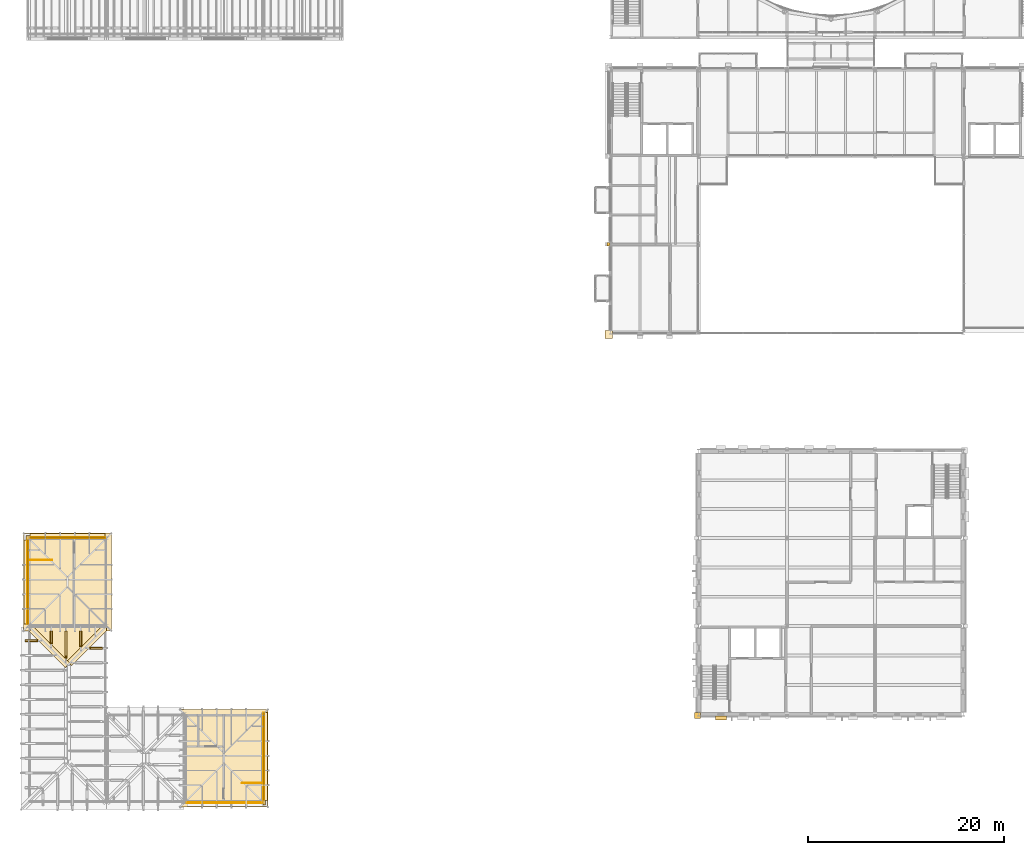
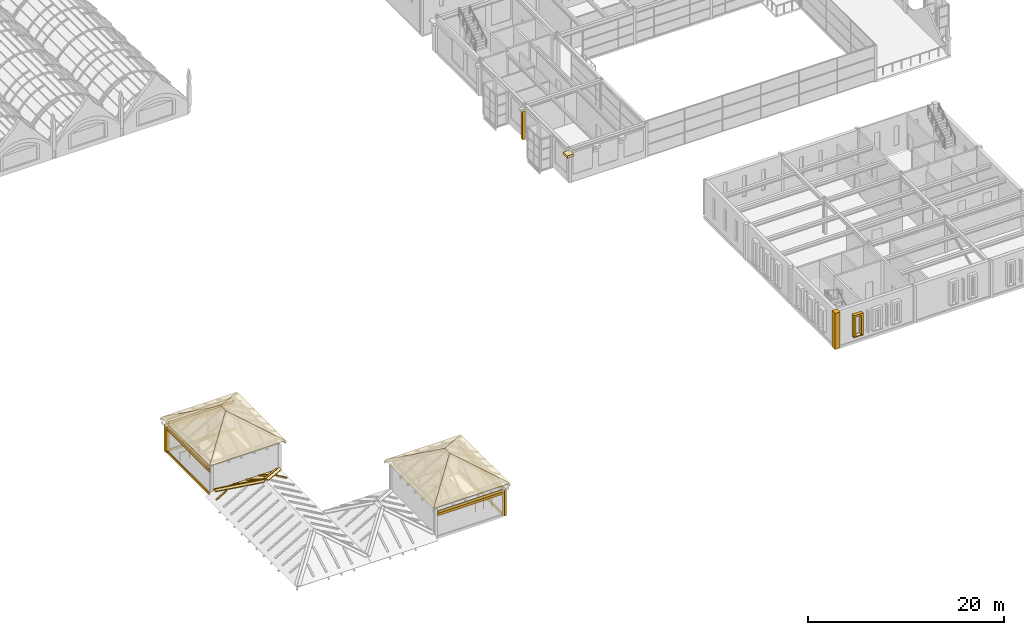
# One storey, part 89 of 111: 39 coverings, 2 railings.
"""IFC4 building model written with IfcOpenShell, lengths in metres."""

from ifc_helpers import new_model, si_unit, direction, frame, origin, origin_2d, place, context, subcontext, project, spatial, polyline, rectangle, circle, outline, extrude, material, layer, layer_set, type_object, element, save


model = new_model("IFC4")

# Units and contexts
model_context = context("Model", 3, precision=1e-05, world=origin(), true_north=direction((0.0, 1.0)))
body_context = subcontext(model_context, "Body", "Model", "MODEL_VIEW")
ifc_project = project(units=[si_unit("LENGTHUNIT", "METRE"), si_unit("AREAUNIT", "SQUARE_METRE"), si_unit("VOLUMEUNIT", "CUBIC_METRE"), si_unit("PLANEANGLEUNIT", "RADIAN"), si_unit("MASSUNIT", "GRAM", prefix="KILO")], contexts=[model_context])

# Site, building, storey
site_placement = place(None, origin())
site = spatial("IfcSite", under=ifc_project, at=site_placement, CompositionType="ELEMENT")
building_placement = place(site_placement, origin())
building = spatial("IfcBuilding", under=site, at=building_placement, Name="Kallimachos Central Library", CompositionType="ELEMENT")
storey_placement = place(building_placement, frame((0.0, 0.0, 14.39990234375)))
storey = spatial("IfcBuildingStorey", under=building, at=storey_placement, Name="L03", CompositionType="ELEMENT", Elevation=14.39990234375)

# Coverings
ifc_material_1 = material(Name="Glazed ceramic hip tile")
ifc_layer_1 = layer(ifc_material_1, 0.1201171875)
ifc_layer_set_1 = layer_set([ifc_layer_1], Name="Ceramic hip tile 300")
covering_type_1 = type_object("IfcCoveringType", Name="Ceramic hip tile 300", PredefinedType="MOLDING", material=ifc_layer_set_1)
covering_1_placement = place(storey_placement, frame((10.226318359375, 23.226318359375, 2.848388671875), z_axis=(-0.000182319872, 0.499873807418, 0.866098229658), x_axis=(-0.654787401166, -0.654668075714, 0.377707783764)))
element("IfcCovering", 1, at=covering_1_placement, inside=storey, type_object=covering_type_1, Name="R2 hip tile", PredefinedType="MOLDING", context=body_context, shape_type="SweptSolid", body=[
    extrude(outline(polyline([(0.0, 0.0), (0.32401084205908537, 1.3877787807814457e-17), (-0.5228782304783292, -5.874831397931513), (-0.8005554071933875, -5.554312028741464), (0.0, 0.0)])), origin(), (0.0, 0.0, -1.0), 0.1201171875),
])
covering_2_placement = place(storey_placement, frame((9.98583984375, 22.98583984375, 2.970703125), z_axis=(-0.499734386356, 0.000361185922, 0.866178626288), x_axis=(-0.654787407019, -0.654787338968, -0.377500983225)))
element("IfcCovering", 2, at=covering_2_placement, inside=storey, type_object=covering_type_1, Name="R2 hip tile", PredefinedType="MOLDING", context=body_context, shape_type="SweptSolid", body=[
    extrude(outline(polyline([(0.0, 0.0), (0.32401085128390905, 1.3877787807814457e-17), (1.1276076079422865, -5.575681846011131), (0.803756616848555, -5.575497321333659), (0.0, 0.0)])), origin(), (0.0, 0.0, -1.0), 0.1201171875),
])
covering_3_placement = place(storey_placement, frame((9.98583984375, 23.01416015625, 2.970703125), z_axis=(0.000182319872, 0.499873807418, 0.866098229658), x_axis=(-0.654787401166, 0.654668075714, -0.377707783764)))
element("IfcCovering", 3, at=covering_3_placement, inside=storey, type_object=covering_type_1, Name="R2 hip tile", PredefinedType="MOLDING", context=body_context, shape_type="SweptSolid", body=[
    extrude(outline(polyline([(0.0, 0.0), (0.32401084205908537, -1.3877787807814457e-17), (1.1245662492524726, -5.554312028741463), (0.8468890725374147, -5.874831397931513), (0.0, 0.0)])), origin(), (0.0, 0.0, -1.0), 0.1201171875),
])
covering_4_placement = place(storey_placement, frame((13.9140625, 26.885986328125, 0.71923828125), z_axis=(0.500003642596, -1.6346783e-05, 0.866023300566), x_axis=(0.654568264654, -0.654758275745, -0.377931193806)))
element("IfcCovering", 4, at=covering_4_placement, inside=storey, type_object=covering_type_1, Name="R2 hip tile", PredefinedType="MOLDING", context=body_context, shape_type="SweptSolid", body=[
    extrude(outline(polyline([(0.0, 0.0), (0.13125072621166356, 6.938893903907228e-18), (0.2965388260945633, -0.19080489409223556), (-0.47970870177611324, -5.575583414233689), (-0.8038117835381041, -5.57565085054515), (0.0, 0.0)])), origin(), (0.0, 0.0, -1.0), 0.1201171875),
])
ifc_material_2 = material(Name="Glazed ceramic roll tile")
ifc_layer_2 = layer(ifc_material_2, 0.10009765625)
ifc_layer_set_2 = layer_set([ifc_layer_2], Name="Ceramic roll tile rib 180")
covering_type_2 = type_object("IfcCoveringType", Name="Ceramic roll tile rib 180", PredefinedType="ROOFING", material=ifc_layer_set_2)
covering_5_placement = place(storey_placement, frame((8.260009765625, 25.243896484375, 1.660400390625), z_axis=(0.0, 0.499984039138, 0.866034618596), x_axis=(0.0, 0.866034618596, -0.499984039138)))
element("IfcCovering", 5, at=covering_5_placement, inside=storey, type_object=covering_type_2, Name="R2 roll tile rib", PredefinedType="ROOFING", context=body_context, shape_type="SweptSolid", body=[
    extrude(outline(polyline([(0.0, 0.0), (1.4272916553597355, 0.0), (1.4272916553597355, -0.17993164062500003), (0.0, -0.17993164062500003), (0.0, 0.0)])), origin(), (0.0, 0.0, -1.0), 0.10009765625),
])
covering_6_placement = place(storey_placement, frame((9.760009765625, 23.743896484375, 2.5263671875), z_axis=(0.0, 0.499978876315, 0.866037599206), x_axis=(0.0, 0.866037599206, -0.499978876315)))
element("IfcCovering", 6, at=covering_6_placement, inside=storey, type_object=covering_type_2, Name="R2 roll tile rib", PredefinedType="ROOFING", context=body_context, shape_type="SweptSolid", body=[
    extrude(outline(polyline([(0.0, 0.0), (3.159313160171293, 0.0), (3.159313160171293, -0.179931640625), (0.0, -0.179931640625), (0.0, 0.0)])), origin(), (0.0, 0.0, -1.0), 0.10009765625),
])
covering_7_placement = place(storey_placement, frame((11.260009765625, 24.944091796875, 1.83349609375), z_axis=(0.0, 0.499988586725, 0.866031993141), x_axis=(0.0, 0.866031993141, -0.499988586725)))
element("IfcCovering", 7, at=covering_7_placement, inside=storey, type_object=covering_type_2, Name="R2 roll tile rib", PredefinedType="ROOFING", context=body_context, shape_type="SweptSolid", body=[
    extrude(outline(polyline([(0.0, 0.0), (1.7734779823825033, 0.0), (1.7734779823825033, -0.179931640625), (0.0, -0.179931640625), (0.0, 0.0)])), origin(), (0.0, 0.0, -1.0), 0.10009765625),
])
for number, where, z_axis, x_axis, name in (
    (8, (5.669921875, 25.409912109375, 0.4560546875), (-0.499984039138, 0.0, 0.866034618596), (0.866034618596, 0.0, 0.499984039138), "R2 roll tile rib"),
    (9, (12.343994140625, 24.659912109375, 1.6025390625), (0.499984039138, 0.0, 0.866034618596), (0.866034618596, 0.0, -0.499984039138), "R2 roll tile rib"),
):
    element("IfcCovering", number, at=place(storey_placement, frame(where, z_axis=z_axis, x_axis=x_axis)), inside=storey, type_object=covering_type_2, Name=name, PredefinedType="ROOFING", context=body_context, shape_type="SweptSolid", body=[
        extrude(outline(polyline([(0.0, 0.0), (1.4272916553597355, 0.0), (1.4272916553597355, 0.18017578125), (0.0, 0.18017578125), (0.0, 0.0)])), origin(), (0.0, 0.0, -1.0), 0.10009765625),
    ])
ifc_material_3 = material(Name="Glazed ceramic frieze, green")
ifc_layer_3 = layer(ifc_material_3, 0.10009765625)
ifc_layer_set_3 = layer_set([ifc_layer_3], Name="Glazed ceramic frieze, green")
covering_type_3 = type_object("IfcCoveringType", Name="Glazed ceramic frieze, green", PredefinedType="CLADDING", material=ifc_layer_set_3)
covering_8_placement = place(storey_placement, frame((26.094970703125, 8.949951171875, 2.97998046875), z_axis=(0.0, 0.0, 1.0), x_axis=(1.0, 0.0, 0.0)))
element("IfcCovering", 10, at=covering_8_placement, inside=storey, type_object=covering_type_3, Name="Glazed ceramic frieze, green -L03-021", PredefinedType="CLADDING", context=body_context, shape_type="SweptSolid", body=[
    extrude(rectangle(XDim=7.7900390625, YDim=0.10009765625, at=origin_2d()), origin(), (0.0, 0.0, 1.0), 0.300048828125),
])
covering_9_placement = place(storey_placement, frame((30.050048828125, 13.675048828125, 2.97998046875), z_axis=(0.0, 0.0, 1.0), x_axis=(1.0, 0.0, 0.0)))
element("IfcCovering", 11, at=covering_9_placement, inside=storey, type_object=covering_type_3, Name="Glazed ceramic frieze, green -L03-022", PredefinedType="CLADDING", context=body_context, shape_type="SweptSolid", body=[
    extrude(rectangle(XDim=0.10009765625, YDim=8.949951171875, at=origin_2d()), origin(), (0.0, 0.0, 1.0), 0.300048828125),
])
covering_10_placement = place(storey_placement, frame((5.949951171875, 31.5, 2.97998046875), z_axis=(0.0, 0.0, 1.0), x_axis=(1.0, 0.0, 0.0)))
element("IfcCovering", 12, at=covering_10_placement, inside=storey, type_object=covering_type_3, Name="Glazed ceramic frieze, green -L03-029", PredefinedType="CLADDING", context=body_context, shape_type="SweptSolid", body=[
    extrude(rectangle(XDim=0.10009765625, YDim=8.60009765625, at=origin_2d()), origin(), (0.0, 0.0, 1.0), 0.300048828125),
])
covering_11_placement = place(storey_placement, frame((10.0, 36.050048828125, 2.97998046875), z_axis=(0.0, 0.0, 1.0), x_axis=(1.0, 0.0, 0.0)))
element("IfcCovering", 13, at=covering_11_placement, inside=storey, type_object=covering_type_3, Name="Glazed ceramic frieze, green -L03-030", PredefinedType="CLADDING", context=body_context, shape_type="SweptSolid", body=[
    extrude(rectangle(XDim=7.699951171875, YDim=0.10009765625, at=origin_2d()), origin(), (0.0, 0.0, 1.0), 0.300048828125),
])
ifc_material_4 = material(Name="Glazed ceramic frieze, ochre")
ifc_layer_4 = layer(ifc_material_4, 0.10009765625)
ifc_layer_set_4 = layer_set([ifc_layer_4], Name="Glazed ceramic frieze, ochre")
covering_type_4 = type_object("IfcCoveringType", Name="Glazed ceramic frieze, ochre", PredefinedType="CLADDING", material=ifc_layer_set_4)
covering_12_placement = place(storey_placement, frame((26.094970703125, 8.949951171875, 2.68017578125), z_axis=(0.0, 0.0, 1.0), x_axis=(1.0, 0.0, 0.0)))
element("IfcCovering", 14, at=covering_12_placement, inside=storey, type_object=covering_type_4, Name="Glazed ceramic frieze, ochre -L03-021", PredefinedType="CLADDING", context=body_context, shape_type="SweptSolid", body=[
    extrude(rectangle(XDim=7.7900390625, YDim=0.10009765625, at=origin_2d()), origin(), (0.0, 0.0, 1.0), 0.300048828125),
])
covering_13_placement = place(storey_placement, frame((30.050048828125, 13.675048828125, 2.68017578125), z_axis=(0.0, 0.0, 1.0), x_axis=(1.0, 0.0, 0.0)))
element("IfcCovering", 15, at=covering_13_placement, inside=storey, type_object=covering_type_4, Name="Glazed ceramic frieze, ochre -L03-022", PredefinedType="CLADDING", context=body_context, shape_type="SweptSolid", body=[
    extrude(rectangle(XDim=0.10009765625, YDim=8.949951171875, at=origin_2d()), origin(), (0.0, 0.0, 1.0), 0.300048828125),
])
covering_14_placement = place(storey_placement, frame((5.949951171875, 31.5, 2.68017578125), z_axis=(0.0, 0.0, 1.0), x_axis=(1.0, 0.0, 0.0)))
element("IfcCovering", 16, at=covering_14_placement, inside=storey, type_object=covering_type_4, Name="Glazed ceramic frieze, ochre -L03-029", PredefinedType="CLADDING", context=body_context, shape_type="SweptSolid", body=[
    extrude(rectangle(XDim=0.10009765625, YDim=8.60009765625, at=origin_2d()), origin(), (0.0, 0.0, 1.0), 0.300048828125),
])
covering_15_placement = place(storey_placement, frame((10.0, 36.050048828125, 2.68017578125), z_axis=(0.0, 0.0, 1.0), x_axis=(1.0, 0.0, 0.0)))
element("IfcCovering", 17, at=covering_15_placement, inside=storey, type_object=covering_type_4, Name="Glazed ceramic frieze, ochre -L03-030", PredefinedType="CLADDING", context=body_context, shape_type="SweptSolid", body=[
    extrude(rectangle(XDim=7.699951171875, YDim=0.10009765625, at=origin_2d()), origin(), (0.0, 0.0, 1.0), 0.300048828125),
])
ifc_material_5 = material(Name="Glazed ceramic tile on deck")
ifc_layer_5 = layer(ifc_material_5, 0.10009765625)
ifc_layer_set_5 = layer_set([ifc_layer_5], Name="Glazed ceramic tile roofing 100")
covering_type_5 = type_object("IfcCoveringType", Name="Glazed ceramic tile roofing 100", PredefinedType="ROOFING", material=ifc_layer_set_5)
covering_16_placement = place(storey_placement, frame((13.89990234375, 26.89990234375, 0.5888671875), z_axis=(0.0, 0.499975879303, 0.866039329428), x_axis=(-1.0, 0.0, 0.0)))
element("IfcCovering", 18, at=covering_16_placement, inside=storey, type_object=covering_type_5, Name="R2 roofing N", PredefinedType="ROOFING", context=body_context, shape_type="SweptSolid", body=[
    extrude(outline(polyline([(0.0, 0.0), (7.7998046875, 0.0), (3.89990234375, 4.503146925587589), (0.0, 0.0)])), origin(), (0.0, 0.0, -1.0), 0.10009765625),
])
for number, where, z_axis, x_axis, name in (
    (19, (21.5, 8.5, 4.09228515625), (0.0, -0.50000986103, 0.866019710441), (1.0, 0.0, 0.0), "R3 roofing S"),
    (20, (30.5, 18.5, 4.09228515625), (0.0, 0.50000986103, 0.866019710441), (-1.0, 0.0, 0.0), "R3 roofing N"),
):
    element("IfcCovering", number, at=place(storey_placement, frame(where, z_axis=z_axis, x_axis=x_axis)), inside=storey, type_object=covering_type_5, Name=name, PredefinedType="ROOFING", context=body_context, shape_type="SweptSolid", body=[
        extrude(outline(polyline([(0.0, 0.0), (9.0, 0.0), (4.5, 5.196186582991827), (0.0, 0.0)])), origin(), (0.0, 0.0, -1.0), 0.10009765625),
    ])
covering_17_placement = place(storey_placement, frame((21.5, 8.5, 4.09228515625), z_axis=(-0.50000986103, 0.0, 0.866019710441), x_axis=(0.654651211404, 0.654651211404, 0.377972992175)))
element("IfcCovering", 21, at=covering_17_placement, inside=storey, type_object=covering_type_5, Name="R3 roofing W", PredefinedType="ROOFING", context=body_context, shape_type="SweptSolid", body=[
    extrude(outline(polyline([(0.0, 0.0), (6.873889365218521, 0.0), (7.528540576622903, 0.7559310758308424), (6.546512114043815, 7.559310758308429), (0.0, 0.0)])), origin(), (0.0, 0.0, -1.0), 0.10009765625),
])
covering_18_placement = place(storey_placement, frame((30.5, 8.5, 4.09228515625), z_axis=(0.50000986103, 0.0, 0.866019710441), x_axis=(0.0, 1.0, 0.0)))
element("IfcCovering", 22, at=covering_18_placement, inside=storey, type_object=covering_type_5, Name="R3 roofing E", PredefinedType="ROOFING", context=body_context, shape_type="SweptSolid", body=[
    extrude(outline(polyline([(0.0, 0.0), (10.0, 0.0), (5.5, 5.196186582991827), (4.5, 5.196186582991827), (0.0, 0.0)])), origin(), (0.0, 0.0, -1.0), 0.10009765625),
])
for number, where, z_axis, x_axis, name in (
    (23, (5.5, 26.5, 4.09228515625), (0.0, -0.50000986103, 0.866019710441), (1.0, 0.0, 0.0), "R4 roofing S"),
    (24, (14.5, 36.5, 4.09228515625), (0.0, 0.50000986103, 0.866019710441), (-1.0, 0.0, 0.0), "R4 roofing N"),
):
    element("IfcCovering", number, at=place(storey_placement, frame(where, z_axis=z_axis, x_axis=x_axis)), inside=storey, type_object=covering_type_5, Name=name, PredefinedType="ROOFING", context=body_context, shape_type="SweptSolid", body=[
        extrude(outline(polyline([(0.0, 0.0), (9.0, 0.0), (4.5, 5.196186582991827), (0.0, 0.0)])), origin(), (0.0, 0.0, -1.0), 0.10009765625),
    ])
covering_19_placement = place(storey_placement, frame((5.5, 26.5, 4.09228515625), z_axis=(-0.50000986103, 0.0, 0.866019710441), x_axis=(0.654651211404, 0.654651211404, 0.377972992175)))
element("IfcCovering", 25, at=covering_19_placement, inside=storey, type_object=covering_type_5, Name="R4 roofing W", PredefinedType="ROOFING", context=body_context, shape_type="SweptSolid", body=[
    extrude(outline(polyline([(0.0, 0.0), (6.873889365218521, 0.0), (7.528540576622903, 0.7559310758308424), (6.546512114043815, 7.559310758308429), (0.0, 0.0)])), origin(), (0.0, 0.0, -1.0), 0.10009765625),
])
covering_20_placement = place(storey_placement, frame((14.5, 26.5, 4.09228515625), z_axis=(0.50000986103, 0.0, 0.866019710441), x_axis=(0.0, 1.0, 0.0)))
element("IfcCovering", 26, at=covering_20_placement, inside=storey, type_object=covering_type_5, Name="R4 roofing E", PredefinedType="ROOFING", context=body_context, shape_type="SweptSolid", body=[
    extrude(outline(polyline([(0.0, 0.0), (10.0, 0.0), (5.5, 5.196186582991827), (4.5, 5.196186582991827), (0.0, 0.0)])), origin(), (0.0, 0.0, -1.0), 0.10009765625),
])

# Railings
ifc_material_6 = material(Name="Wrought iron")
railing_type = type_object("IfcRailingType", Name="Stair guard", PredefinedType="GUARDRAIL", material=ifc_material_6)
railing_1_placement = place(storey_placement, frame((29.800048828125, 10.949951171875, 0.0)))
element("IfcRailing", 27, at=railing_1_placement, inside=storey, type_object=railing_type, Name="L03 ST17 top well guard 1", PredefinedType="GUARDRAIL", context=body_context, shape_type="SweptSolid", body=[
    extrude(circle(Radius=0.02392578125, at=origin_2d()), frame((0.0, 0.0, 1.076171875), z_axis=(-1.0, 0.0, 0.0), x_axis=(0.0, -1.0, 0.0)), (0.0, 0.0, 1.0), 1.949951171875),
    extrude(circle(Radius=0.02099609375, at=origin_2d()), origin(), (0.0, 0.0, 1.0), 1.052001953125),
    extrude(circle(Radius=0.02099609375, at=origin_2d()), frame((-0.97509765625, 0.0, 0.0)), (0.0, 0.0, 1.0), 1.052001953125),
    extrude(circle(Radius=0.02099609375, at=origin_2d()), frame((-1.949951171875, 0.0, 0.0)), (0.0, 0.0, 1.0), 1.052001953125),
])
railing_2_placement = place(storey_placement, frame((6.199951171875, 33.75, 0.0)))
element("IfcRailing", 28, at=railing_2_placement, inside=storey, type_object=railing_type, Name="L03 ST18 top well guard 1", PredefinedType="GUARDRAIL", context=body_context, shape_type="SweptSolid", body=[
    extrude(circle(Radius=0.02392578125, at=origin_2d()), frame((0.0, 0.0, 1.076171875), z_axis=(1.0, 0.0, 0.0), x_axis=(0.0, 1.0, 0.0)), (0.0, 0.0, 1.0), 2.25),
    extrude(circle(Radius=0.02099609375, at=origin_2d()), origin(), (0.0, 0.0, 1.0), 1.052001953125),
    extrude(circle(Radius=0.02099609375, at=origin_2d()), frame((1.125, 0.0, 0.0)), (0.0, 0.0, 1.0), 1.052001953125),
    extrude(circle(Radius=0.02099609375, at=origin_2d()), frame((2.25, 0.0, 0.0)), (0.0, 0.0, 1.0), 1.052001953125),
])

# Coverings
ifc_material_7 = material(Name="Pentelic marble attic moulding", Category="masonry")
ifc_layer_6 = layer(ifc_material_7, 0.1201171875)
ifc_layer_set_6 = layer_set([ifc_layer_6], Name="Stone attic moulding 300")
covering_type_6 = type_object("IfcCoveringType", Name="Stone attic moulding 300", PredefinedType="MOLDING", material=ifc_layer_set_6)
covering_21_placement = place(storey_placement, frame((30.06005859375, 13.675048828125, -0.14990234375), z_axis=(0.0, 0.0, 1.0), x_axis=(1.0, 0.0, 0.0)))
element("IfcCovering", 29, at=covering_21_placement, inside=storey, type_object=covering_type_6, Name="Stone attic moulding 300 -L03-022", PredefinedType="MOLDING", context=body_context, shape_type="SweptSolid", body=[
    extrude(rectangle(XDim=0.1201171875, YDim=8.949951171875, at=origin_2d()), origin(), (0.0, 0.0, 1.0), 0.300048828125),
])
covering_22_placement = place(storey_placement, frame((5.93994140625, 31.5, -0.14990234375), z_axis=(0.0, 0.0, 1.0), x_axis=(1.0, 0.0, 0.0)))
element("IfcCovering", 30, at=covering_22_placement, inside=storey, type_object=covering_type_6, Name="Stone attic moulding 300 -L03-029", PredefinedType="MOLDING", context=body_context, shape_type="SweptSolid", body=[
    extrude(rectangle(XDim=0.1201171875, YDim=8.60009765625, at=origin_2d()), origin(), (0.0, 0.0, 1.0), 0.300048828125),
])
covering_23_placement = place(storey_placement, frame((10.0, 36.06005859375, -0.14990234375), z_axis=(0.0, 0.0, 1.0), x_axis=(1.0, 0.0, 0.0)))
element("IfcCovering", 31, at=covering_23_placement, inside=storey, type_object=covering_type_6, Name="Stone attic moulding 300 -L03-030", PredefinedType="MOLDING", context=body_context, shape_type="SweptSolid", body=[
    extrude(rectangle(XDim=7.699951171875, YDim=0.1201171875, at=origin_2d()), origin(), (0.0, 0.0, 1.0), 0.300048828125),
])
ifc_material_8 = material(Name="Pentelic marble cornice", Category="masonry")
ifc_layer_7 = layer(ifc_material_8, 0.449951171875)
ifc_layer_set_7 = layer_set([ifc_layer_7], Name="Stone cornice 450")
covering_type_7 = type_object("IfcCoveringType", Name="Stone cornice 450", PredefinedType="MOLDING", material=ifc_layer_set_7)
covering_24_placement = place(storey_placement, frame((30.22509765625, 13.675048828125, 3.30029296875), z_axis=(0.0, 0.0, 1.0), x_axis=(1.0, 0.0, 0.0)))
element("IfcCovering", 32, at=covering_24_placement, inside=storey, type_object=covering_type_7, Name="Stone cornice 450 -L03-022", PredefinedType="MOLDING", context=body_context, shape_type="SweptSolid", body=[
    extrude(rectangle(XDim=0.449951171875, YDim=8.949951171875, at=origin_2d()), origin(), (0.0, 0.0, 1.0), 0.300048828125),
])
covering_25_placement = place(storey_placement, frame((5.77490234375, 31.5, 3.30029296875), z_axis=(0.0, 0.0, 1.0), x_axis=(1.0, 0.0, 0.0)))
element("IfcCovering", 33, at=covering_25_placement, inside=storey, type_object=covering_type_7, Name="Stone cornice 450 -L03-029", PredefinedType="MOLDING", context=body_context, shape_type="SweptSolid", body=[
    extrude(rectangle(XDim=0.449951171875, YDim=8.60009765625, at=origin_2d()), origin(), (0.0, 0.0, 1.0), 0.300048828125),
])
covering_26_placement = place(storey_placement, frame((10.0, 36.22509765625, 3.30029296875), z_axis=(0.0, 0.0, 1.0), x_axis=(1.0, 0.0, 0.0)))
element("IfcCovering", 34, at=covering_26_placement, inside=storey, type_object=covering_type_7, Name="Stone cornice 450 -L03-030", PredefinedType="MOLDING", context=body_context, shape_type="SweptSolid", body=[
    extrude(rectangle(XDim=7.699951171875, YDim=0.449951171875, at=origin_2d()), origin(), (0.0, 0.0, 1.0), 0.300048828125),
])
covering_27_placement = place(storey_placement, frame((65.27490234375, 56.77490234375, 3.5), z_axis=(0.0, 0.0, 1.0), x_axis=(1.0, 0.0, 0.0)))
element("IfcCovering", 35, at=covering_27_placement, inside=storey, type_object=covering_type_7, Name="Stone cornice 450 corner", PredefinedType="MOLDING", context=body_context, shape_type="SweptSolid", body=[
    extrude(rectangle(XDim=0.759033203125, YDim=0.826904296875, at=origin_2d()), origin(), (0.0, 0.0, 1.0), 0.300048828125),
])
ifc_material_9 = material(Name="Pentelic marble pilaster", Category="masonry")
ifc_layer_8 = layer(ifc_material_9, 0.25)
ifc_layer_set_8 = layer_set([ifc_layer_8], Name="Stone pilaster 250")
covering_type_8 = type_object("IfcCoveringType", Name="Stone pilaster 250", PredefinedType="CLADDING", material=ifc_layer_set_8)
covering_28_placement = place(storey_placement, frame((65.2705078125, 66.0, 0.0), z_axis=(0.0, 0.0, 1.0), x_axis=(1.0, 0.0, 0.0)))
element("IfcCovering", 36, at=covering_28_placement, inside=storey, type_object=covering_type_8, Name="Stone pilaster 250 -L03-020", PredefinedType="CLADDING", context=body_context, shape_type="SweptSolid", body=[
    extrude(rectangle(XDim=0.35009765625, YDim=0.376953125, at=origin_2d()), origin(), (0.0, 0.0, 1.0), 3.5),
])
covering_29_placement = place(storey_placement, frame((74.35009765625, 17.875, 0.0), z_axis=(0.0, 0.0, 1.0), x_axis=(1.0, 0.0, 0.0)))
element("IfcCovering", 37, at=covering_29_placement, inside=storey, type_object=covering_type_8, Name="Stone pilaster 250 corner", PredefinedType="CLADDING", context=body_context, shape_type="SweptSolid", body=[
    extrude(rectangle(XDim=0.60009765625, YDim=0.64990234375, at=origin_2d()), origin(), (0.0, 0.0, 1.0), 4.5),
])
covering_30_placement = place(storey_placement, frame((30.1201171875, 8.97509765625, 0.0), z_axis=(0.0, 0.0, 1.0), x_axis=(1.0, 0.0, 0.0)))
element("IfcCovering", 38, at=covering_30_placement, inside=storey, type_object=covering_type_8, Name="Stone pilaster 250 corner", PredefinedType="CLADDING", context=body_context, shape_type="SweptSolid", body=[
    extrude(rectangle(XDim=0.260009765625, YDim=0.449951171875, at=origin_2d()), origin(), (0.0, 0.0, 1.0), 3.300048828125),
])
covering_31_placement = place(storey_placement, frame((5.949951171875, 36.02490234375, 0.0), z_axis=(0.0, 0.0, 1.0), x_axis=(1.0, 0.0, 0.0)))
element("IfcCovering", 39, at=covering_31_placement, inside=storey, type_object=covering_type_8, Name="Stone pilaster 250 corner", PredefinedType="CLADDING", context=body_context, shape_type="SweptSolid", body=[
    extrude(rectangle(XDim=0.39990234375, YDim=0.449951171875, at=origin_2d()), origin(), (0.0, 0.0, 1.0), 3.300048828125),
])
ifc_material_10 = material(Name="Pentelic marble window sill", Category="masonry")
ifc_layer_9 = layer(ifc_material_10, 0.39990234375)
ifc_layer_set_9 = layer_set([ifc_layer_9], Name="Tower window sill block 400")
covering_type_9 = type_object("IfcCoveringType", Name="Tower window sill block 400", PredefinedType="MOLDING", material=ifc_layer_set_9)
covering_32_placement = place(storey_placement, frame((76.75, 17.60009765625, 0.780029296875), z_axis=(0.0, 0.0, 1.0), x_axis=(1.0, 0.0, 0.0)))
element("IfcCovering", 40, at=covering_32_placement, inside=storey, type_object=covering_type_9, Name="Tower window sill block", PredefinedType="MOLDING", context=body_context, shape_type="SweptSolid", body=[
    extrude(rectangle(XDim=1.10009765625, YDim=0.39990234375, at=origin_2d()), origin(), (0.0, 0.0, 1.0), 0.1201171875),
])
ifc_material_11 = material(Name="Pentelic marble window surround", Category="masonry")
ifc_layer_10 = layer(ifc_material_11, 0.39990234375)
ifc_layer_set_10 = layer_set([ifc_layer_10], Name="Tower window surround 400")
covering_type_10 = type_object("IfcCoveringType", Name="Tower window surround 400", PredefinedType="MOLDING", material=ifc_layer_set_10)
covering_33_placement = place(storey_placement, frame((76.449951171875, 17.39990234375, 0.900146484375), z_axis=(0.0, -1.0, 0.0), x_axis=(0.0, 0.0, 1.0)))
element("IfcCovering", 41, at=covering_33_placement, inside=storey, type_object=covering_type_10, Name="Tower window surround -WIN-L03-001", PredefinedType="MOLDING", context=body_context, shape_type="SweptSolid", body=[
    extrude(outline(polyline([(0.0, 0.0), (2.39990234375, 0.0), (2.39990234375, -0.60009765625), (0.0, -0.60009765625), (0.0, -0.85009765625), (2.64990234375, -0.85009765625), (2.64990234375, 0.25), (0.0, 0.25), (0.0, 0.0)])), origin(), (0.0, 0.0, -1.0), 0.39990234375),
])

save(model, "model.ifc")
